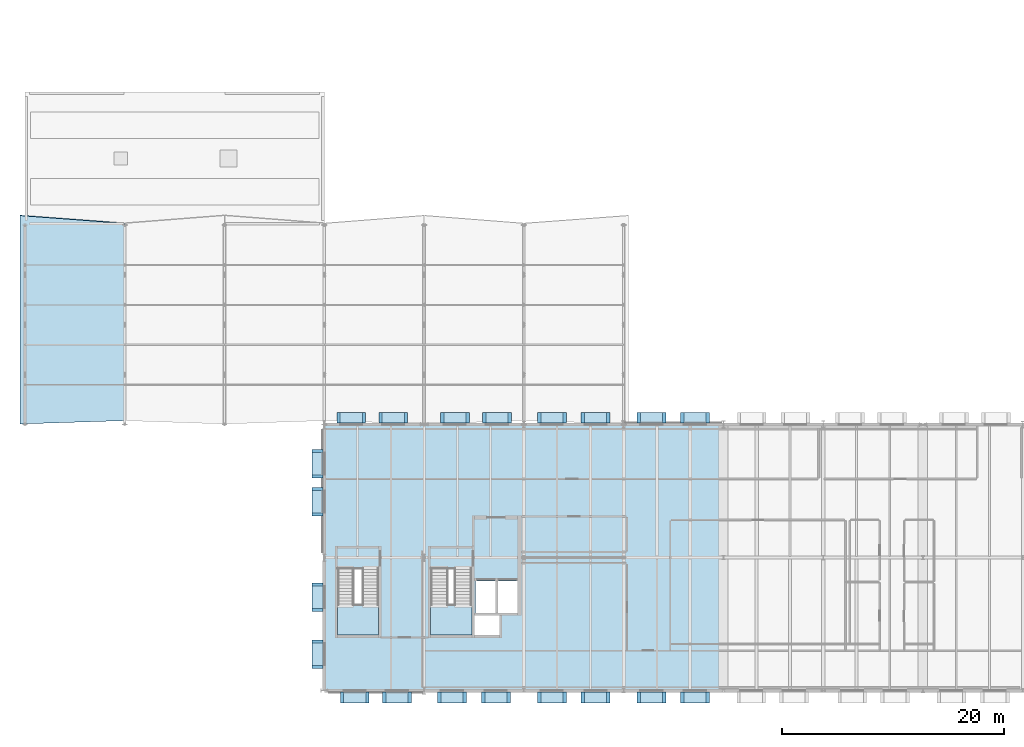
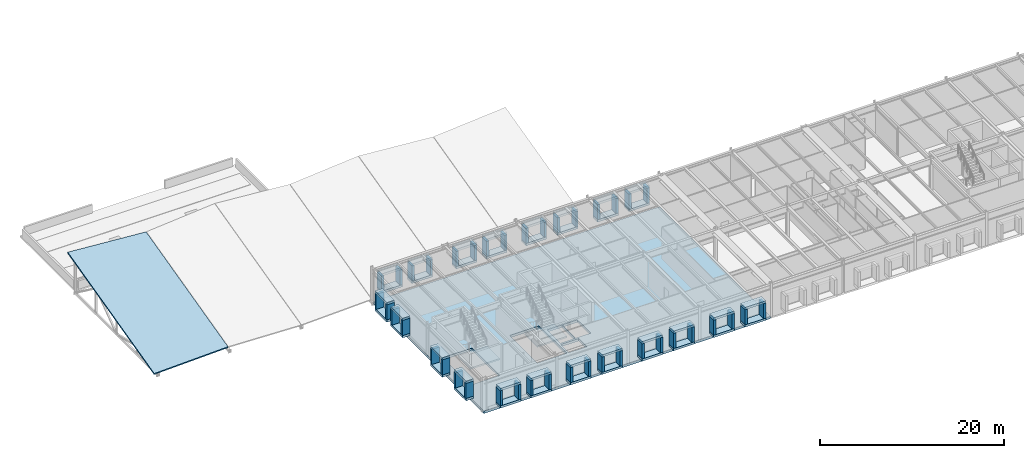
# One storey, part 41 of 67: 80 plates, 4 slabs, 3 elements without a shape of their own.
"""IFC4 building model written with IfcOpenShell, lengths in metres."""

from ifc_helpers import new_model, si_unit, direction, frame, origin, origin_2d, place, context, subcontext, project, spatial, polyline, rectangle, outline, extrude, material, layer, layer_set, type_object, element, aggregate, save


model = new_model("IFC4")

# Units and contexts
model_context = context("Model", 3, precision=1e-05, world=origin(), true_north=direction((0.0, 1.0)))
body_context = subcontext(model_context, "Body", "Model", "MODEL_VIEW")
ifc_project = project(units=[si_unit("LENGTHUNIT", "METRE"), si_unit("AREAUNIT", "SQUARE_METRE"), si_unit("VOLUMEUNIT", "CUBIC_METRE"), si_unit("PLANEANGLEUNIT", "RADIAN"), si_unit("MASSUNIT", "GRAM", prefix="KILO")], contexts=[model_context])

# Site, building, storey
site_placement = place(None, origin())
site = spatial("IfcSite", under=ifc_project, at=site_placement, CompositionType="ELEMENT")
building_placement = place(site_placement, origin())
building = spatial("IfcBuilding", under=site, at=building_placement, Name="Montelvaro Courts of Justice", CompositionType="ELEMENT")
storey_placement = place(building_placement, frame((0.0, 0.0, 18.89990234375)))
storey = spatial("IfcBuildingStorey", under=building, at=storey_placement, Name="L04", CompositionType="ELEMENT", Elevation=18.89990234375)

# Slab
ifc_material_1 = material(Name="Concrete C35/45", Category="concrete")
ifc_layer_1 = layer(ifc_material_1, 0.320068359375)
ifc_layer_set_1 = layer_set([ifc_layer_1], Name="Concrete C35/45")
slab_type_1 = type_object("IfcSlabType", Name="FloorSlab_V5_320", PredefinedType="FLOOR", material=ifc_layer_set_1)
slab_1_placement = place(storey_placement, frame((0.0, 0.0, -0.31982421875)))
element("IfcSlab", 1, at=slab_1_placement, inside=storey, type_object=slab_type_1, Name="Structural Slab SF-05 L04", PredefinedType="FLOOR", context=body_context, shape_type="SweptSolid", body=[
    extrude(outline(polyline([(45.0, 0.0), (80.949951171875, 0.0), (80.949951171875, 24.0), (45.0, 24.0), (45.0, 0.0)]), holes=[polyline([(54.60009765625, 5.0), (58.300048828125, 5.0), (58.300048828125, 11.0), (54.60009765625, 11.0), (54.60009765625, 5.0)]), polyline([(58.5400390625, 5.0), (60.800048828125, 5.0), (60.800048828125, 6.760009765625), (58.5400390625, 6.760009765625), (58.5400390625, 5.0)]), polyline([(58.64990234375, 7.0), (60.5, 7.0), (60.5, 9.89990234375), (58.64990234375, 9.89990234375), (58.64990234375, 7.0)]), polyline([(60.60009765625, 7.0), (62.449951171875, 7.0), (62.449951171875, 9.89990234375), (60.60009765625, 9.89990234375), (60.60009765625, 7.0)]), polyline([(46.199951171875, 5.0), (49.89990234375, 5.0), (49.89990234375, 11.0), (46.199951171875, 11.0), (46.199951171875, 5.0)])]), origin(), (0.0, 0.0, 1.0), 0.31982421875),
])

# Plates
ifc_material_2 = material(Name="White mineral precast concrete C45/55", Category="concrete")
ifc_layer_2 = layer(ifc_material_2, 0.300048828125)
ifc_layer_set_2 = layer_set([ifc_layer_2], Name="White mineral precast concrete C45/55")
plate_type = type_object("IfcPlateType", Name="PrecastSquareFrame_300x950", PredefinedType="SHEET", material=ifc_layer_set_2)
for number, where, z_axis, x_axis, name in (
    (2, (47.739990234375, -0.6201171875, 2.85009765625), (0.0, 0.0, 1.0), (1.0, 0.0, 0.0), "Graduated Square Window Frame PF-02 W-L04-189 TOP"),
    (3, (47.739990234375, -0.6201171875, 0.55029296875), (0.0, 0.0, 1.0), (1.0, 0.0, 0.0), "Graduated Square Window Frame PF-02 W-L04-189 BOT"),
):
    element("IfcPlate", number, at=place(storey_placement, frame(where, z_axis=z_axis, x_axis=x_axis)), inside=storey, type_object=plate_type, Name=name, PredefinedType="SHEET", context=body_context, shape_type="SweptSolid", body=[
        extrude(rectangle(XDim=2.60009765625, YDim=0.9599609375, at=origin_2d()), origin(), (0.0, 0.0, 1.0), 0.300048828125),
    ])
for number, where, z_axis, x_axis, name in (
    (4, (46.590087890625, -0.6201171875, 0.85009765625), (0.0, 0.0, 1.0), (1.0, 0.0, 0.0), "Graduated Square Window Frame PF-02 W-L04-189 L"),
    (5, (48.889892578125, -0.6201171875, 0.85009765625), (0.0, 0.0, 1.0), (1.0, 0.0, 0.0), "Graduated Square Window Frame PF-02 W-L04-189 R"),
):
    element("IfcPlate", number, at=place(storey_placement, frame(where, z_axis=z_axis, x_axis=x_axis)), inside=storey, type_object=plate_type, Name=name, PredefinedType="SHEET", context=body_context, shape_type="SweptSolid", body=[
        extrude(rectangle(XDim=0.300048828125, YDim=0.9599609375, at=origin_2d()), origin(), (0.0, 0.0, 1.0), 2.0),
    ])
for number, where, z_axis, x_axis, name in (
    (6, (51.56005859375, -0.6201171875, 2.85009765625), (0.0, 0.0, 1.0), (1.0, 0.0, 0.0), "Graduated Square Window Frame PF-02 W-L04-190 TOP"),
    (7, (51.56005859375, -0.6201171875, 0.55029296875), (0.0, 0.0, 1.0), (1.0, 0.0, 0.0), "Graduated Square Window Frame PF-02 W-L04-190 BOT"),
):
    element("IfcPlate", number, at=place(storey_placement, frame(where, z_axis=z_axis, x_axis=x_axis)), inside=storey, type_object=plate_type, Name=name, PredefinedType="SHEET", context=body_context, shape_type="SweptSolid", body=[
        extrude(rectangle(XDim=2.60009765625, YDim=0.9599609375, at=origin_2d()), origin(), (0.0, 0.0, 1.0), 0.300048828125),
    ])
for number, where, z_axis, x_axis, name in (
    (8, (50.409912109375, -0.6201171875, 0.85009765625), (0.0, 0.0, 1.0), (1.0, 0.0, 0.0), "Graduated Square Window Frame PF-02 W-L04-190 L"),
    (9, (52.7099609375, -0.6201171875, 0.85009765625), (0.0, 0.0, 1.0), (1.0, 0.0, 0.0), "Graduated Square Window Frame PF-02 W-L04-190 R"),
):
    element("IfcPlate", number, at=place(storey_placement, frame(where, z_axis=z_axis, x_axis=x_axis)), inside=storey, type_object=plate_type, Name=name, PredefinedType="SHEET", context=body_context, shape_type="SweptSolid", body=[
        extrude(rectangle(XDim=0.300048828125, YDim=0.9599609375, at=origin_2d()), origin(), (0.0, 0.0, 1.0), 2.0),
    ])
for number, where, z_axis, x_axis, name in (
    (10, (56.52392578125, -0.6201171875, 2.85009765625), (0.0, 0.0, 1.0), (1.0, 0.0, 0.0), "Graduated Square Window Frame PF-02 W-L04-191 TOP"),
    (11, (56.52392578125, -0.6201171875, 0.55029296875), (0.0, 0.0, 1.0), (1.0, 0.0, 0.0), "Graduated Square Window Frame PF-02 W-L04-191 BOT"),
):
    element("IfcPlate", number, at=place(storey_placement, frame(where, z_axis=z_axis, x_axis=x_axis)), inside=storey, type_object=plate_type, Name=name, PredefinedType="SHEET", context=body_context, shape_type="SweptSolid", body=[
        extrude(rectangle(XDim=2.60009765625, YDim=0.9599609375, at=origin_2d()), origin(), (0.0, 0.0, 1.0), 0.300048828125),
    ])
for number, where, z_axis, x_axis, name in (
    (12, (55.3740234375, -0.6201171875, 0.85009765625), (0.0, 0.0, 1.0), (1.0, 0.0, 0.0), "Graduated Square Window Frame PF-02 W-L04-191 L"),
    (13, (57.674072265625, -0.6201171875, 0.85009765625), (0.0, 0.0, 1.0), (1.0, 0.0, 0.0), "Graduated Square Window Frame PF-02 W-L04-191 R"),
):
    element("IfcPlate", number, at=place(storey_placement, frame(where, z_axis=z_axis, x_axis=x_axis)), inside=storey, type_object=plate_type, Name=name, PredefinedType="SHEET", context=body_context, shape_type="SweptSolid", body=[
        extrude(rectangle(XDim=0.300048828125, YDim=0.9599609375, at=origin_2d()), origin(), (0.0, 0.0, 1.0), 2.0),
    ])
for number, where, z_axis, x_axis, name in (
    (14, (60.47607421875, -0.6201171875, 2.85009765625), (0.0, 0.0, 1.0), (1.0, 0.0, 0.0), "Graduated Square Window Frame PF-02 W-L04-192 TOP"),
    (15, (60.47607421875, -0.6201171875, 0.55029296875), (0.0, 0.0, 1.0), (1.0, 0.0, 0.0), "Graduated Square Window Frame PF-02 W-L04-192 BOT"),
):
    element("IfcPlate", number, at=place(storey_placement, frame(where, z_axis=z_axis, x_axis=x_axis)), inside=storey, type_object=plate_type, Name=name, PredefinedType="SHEET", context=body_context, shape_type="SweptSolid", body=[
        extrude(rectangle(XDim=2.60009765625, YDim=0.9599609375, at=origin_2d()), origin(), (0.0, 0.0, 1.0), 0.300048828125),
    ])
for number, where, z_axis, x_axis, name in (
    (16, (59.325927734375, -0.6201171875, 0.85009765625), (0.0, 0.0, 1.0), (1.0, 0.0, 0.0), "Graduated Square Window Frame PF-02 W-L04-192 L"),
    (17, (61.6259765625, -0.6201171875, 0.85009765625), (0.0, 0.0, 1.0), (1.0, 0.0, 0.0), "Graduated Square Window Frame PF-02 W-L04-192 R"),
):
    element("IfcPlate", number, at=place(storey_placement, frame(where, z_axis=z_axis, x_axis=x_axis)), inside=storey, type_object=plate_type, Name=name, PredefinedType="SHEET", context=body_context, shape_type="SweptSolid", body=[
        extrude(rectangle(XDim=0.300048828125, YDim=0.9599609375, at=origin_2d()), origin(), (0.0, 0.0, 1.0), 2.0),
    ])
for number, where, z_axis, x_axis, name in (
    (18, (65.52392578125, -0.6201171875, 2.85009765625), (0.0, 0.0, 1.0), (1.0, 0.0, 0.0), "Graduated Square Window Frame PF-02 W-L04-193 TOP"),
    (19, (65.52392578125, -0.6201171875, 0.55029296875), (0.0, 0.0, 1.0), (1.0, 0.0, 0.0), "Graduated Square Window Frame PF-02 W-L04-193 BOT"),
):
    element("IfcPlate", number, at=place(storey_placement, frame(where, z_axis=z_axis, x_axis=x_axis)), inside=storey, type_object=plate_type, Name=name, PredefinedType="SHEET", context=body_context, shape_type="SweptSolid", body=[
        extrude(rectangle(XDim=2.60009765625, YDim=0.9599609375, at=origin_2d()), origin(), (0.0, 0.0, 1.0), 0.300048828125),
    ])
for number, where, z_axis, x_axis, name in (
    (20, (64.3740234375, -0.6201171875, 0.85009765625), (0.0, 0.0, 1.0), (1.0, 0.0, 0.0), "Graduated Square Window Frame PF-02 W-L04-193 L"),
    (21, (66.674072265625, -0.6201171875, 0.85009765625), (0.0, 0.0, 1.0), (1.0, 0.0, 0.0), "Graduated Square Window Frame PF-02 W-L04-193 R"),
):
    element("IfcPlate", number, at=place(storey_placement, frame(where, z_axis=z_axis, x_axis=x_axis)), inside=storey, type_object=plate_type, Name=name, PredefinedType="SHEET", context=body_context, shape_type="SweptSolid", body=[
        extrude(rectangle(XDim=0.300048828125, YDim=0.9599609375, at=origin_2d()), origin(), (0.0, 0.0, 1.0), 2.0),
    ])
for number, where, z_axis, x_axis, name in (
    (22, (69.47607421875, -0.6201171875, 2.85009765625), (0.0, 0.0, 1.0), (1.0, 0.0, 0.0), "Graduated Square Window Frame PF-02 W-L04-194 TOP"),
    (23, (69.47607421875, -0.6201171875, 0.55029296875), (0.0, 0.0, 1.0), (1.0, 0.0, 0.0), "Graduated Square Window Frame PF-02 W-L04-194 BOT"),
):
    element("IfcPlate", number, at=place(storey_placement, frame(where, z_axis=z_axis, x_axis=x_axis)), inside=storey, type_object=plate_type, Name=name, PredefinedType="SHEET", context=body_context, shape_type="SweptSolid", body=[
        extrude(rectangle(XDim=2.60009765625, YDim=0.9599609375, at=origin_2d()), origin(), (0.0, 0.0, 1.0), 0.300048828125),
    ])
for number, where, z_axis, x_axis, name in (
    (24, (68.325927734375, -0.6201171875, 0.85009765625), (0.0, 0.0, 1.0), (1.0, 0.0, 0.0), "Graduated Square Window Frame PF-02 W-L04-194 L"),
    (25, (70.6259765625, -0.6201171875, 0.85009765625), (0.0, 0.0, 1.0), (1.0, 0.0, 0.0), "Graduated Square Window Frame PF-02 W-L04-194 R"),
):
    element("IfcPlate", number, at=place(storey_placement, frame(where, z_axis=z_axis, x_axis=x_axis)), inside=storey, type_object=plate_type, Name=name, PredefinedType="SHEET", context=body_context, shape_type="SweptSolid", body=[
        extrude(rectangle(XDim=0.300048828125, YDim=0.9599609375, at=origin_2d()), origin(), (0.0, 0.0, 1.0), 2.0),
    ])
for number, where, z_axis, x_axis, name in (
    (26, (74.510009765625, -0.6201171875, 2.85009765625), (0.0, 0.0, 1.0), (1.0, 0.0, 0.0), "Graduated Square Window Frame PF-02 W-L04-195 TOP"),
    (27, (74.510009765625, -0.6201171875, 0.55029296875), (0.0, 0.0, 1.0), (1.0, 0.0, 0.0), "Graduated Square Window Frame PF-02 W-L04-195 BOT"),
):
    element("IfcPlate", number, at=place(storey_placement, frame(where, z_axis=z_axis, x_axis=x_axis)), inside=storey, type_object=plate_type, Name=name, PredefinedType="SHEET", context=body_context, shape_type="SweptSolid", body=[
        extrude(rectangle(XDim=2.60009765625, YDim=0.9599609375, at=origin_2d()), origin(), (0.0, 0.0, 1.0), 0.300048828125),
    ])
for number, where, z_axis, x_axis, name in (
    (28, (73.360107421875, -0.6201171875, 0.85009765625), (0.0, 0.0, 1.0), (1.0, 0.0, 0.0), "Graduated Square Window Frame PF-02 W-L04-195 L"),
    (29, (75.659912109375, -0.6201171875, 0.85009765625), (0.0, 0.0, 1.0), (1.0, 0.0, 0.0), "Graduated Square Window Frame PF-02 W-L04-195 R"),
):
    element("IfcPlate", number, at=place(storey_placement, frame(where, z_axis=z_axis, x_axis=x_axis)), inside=storey, type_object=plate_type, Name=name, PredefinedType="SHEET", context=body_context, shape_type="SweptSolid", body=[
        extrude(rectangle(XDim=0.300048828125, YDim=0.9599609375, at=origin_2d()), origin(), (0.0, 0.0, 1.0), 2.0),
    ])
for number, where, z_axis, x_axis, name in (
    (30, (78.43994140625, -0.6201171875, 2.85009765625), (0.0, 0.0, 1.0), (1.0, 0.0, 0.0), "Graduated Square Window Frame PF-02 W-L04-196 TOP"),
    (31, (78.43994140625, -0.6201171875, 0.55029296875), (0.0, 0.0, 1.0), (1.0, 0.0, 0.0), "Graduated Square Window Frame PF-02 W-L04-196 BOT"),
):
    element("IfcPlate", number, at=place(storey_placement, frame(where, z_axis=z_axis, x_axis=x_axis)), inside=storey, type_object=plate_type, Name=name, PredefinedType="SHEET", context=body_context, shape_type="SweptSolid", body=[
        extrude(rectangle(XDim=2.60009765625, YDim=0.9599609375, at=origin_2d()), origin(), (0.0, 0.0, 1.0), 0.300048828125),
    ])
for number, where, z_axis, x_axis, name in (
    (32, (77.2900390625, -0.6201171875, 0.85009765625), (0.0, 0.0, 1.0), (1.0, 0.0, 0.0), "Graduated Square Window Frame PF-02 W-L04-196 L"),
    (33, (79.590087890625, -0.6201171875, 0.85009765625), (0.0, 0.0, 1.0), (1.0, 0.0, 0.0), "Graduated Square Window Frame PF-02 W-L04-196 R"),
):
    element("IfcPlate", number, at=place(storey_placement, frame(where, z_axis=z_axis, x_axis=x_axis)), inside=storey, type_object=plate_type, Name=name, PredefinedType="SHEET", context=body_context, shape_type="SweptSolid", body=[
        extrude(rectangle(XDim=0.300048828125, YDim=0.9599609375, at=origin_2d()), origin(), (0.0, 0.0, 1.0), 2.0),
    ])
for number, where, z_axis, x_axis, name in (
    (34, (78.43994140625, 24.6201171875, 2.85009765625), (0.0, 0.0, 1.0), (-1.0, 0.0, 0.0), "Graduated Square Window Frame PF-02 W-L04-197 TOP"),
    (35, (78.43994140625, 24.6201171875, 0.55029296875), (0.0, 0.0, 1.0), (-1.0, 0.0, 0.0), "Graduated Square Window Frame PF-02 W-L04-197 BOT"),
):
    element("IfcPlate", number, at=place(storey_placement, frame(where, z_axis=z_axis, x_axis=x_axis)), inside=storey, type_object=plate_type, Name=name, PredefinedType="SHEET", context=body_context, shape_type="SweptSolid", body=[
        extrude(rectangle(XDim=2.60009765625, YDim=0.9599609375, at=origin_2d()), origin(), (0.0, 0.0, 1.0), 0.300048828125),
    ])
for number, where, z_axis, x_axis, name in (
    (36, (79.590087890625, 24.6201171875, 0.85009765625), (0.0, 0.0, 1.0), (-1.0, 0.0, 0.0), "Graduated Square Window Frame PF-02 W-L04-197 L"),
    (37, (77.2900390625, 24.6201171875, 0.85009765625), (0.0, 0.0, 1.0), (-1.0, 0.0, 0.0), "Graduated Square Window Frame PF-02 W-L04-197 R"),
):
    element("IfcPlate", number, at=place(storey_placement, frame(where, z_axis=z_axis, x_axis=x_axis)), inside=storey, type_object=plate_type, Name=name, PredefinedType="SHEET", context=body_context, shape_type="SweptSolid", body=[
        extrude(rectangle(XDim=0.300048828125, YDim=0.9599609375, at=origin_2d()), origin(), (0.0, 0.0, 1.0), 2.0),
    ])
for number, where, z_axis, x_axis, name in (
    (38, (74.510009765625, 24.6201171875, 2.85009765625), (0.0, 0.0, 1.0), (-1.0, 0.0, 0.0), "Graduated Square Window Frame PF-02 W-L04-198 TOP"),
    (39, (74.510009765625, 24.6201171875, 0.55029296875), (0.0, 0.0, 1.0), (-1.0, 0.0, 0.0), "Graduated Square Window Frame PF-02 W-L04-198 BOT"),
):
    element("IfcPlate", number, at=place(storey_placement, frame(where, z_axis=z_axis, x_axis=x_axis)), inside=storey, type_object=plate_type, Name=name, PredefinedType="SHEET", context=body_context, shape_type="SweptSolid", body=[
        extrude(rectangle(XDim=2.60009765625, YDim=0.9599609375, at=origin_2d()), origin(), (0.0, 0.0, 1.0), 0.300048828125),
    ])
for number, where, z_axis, x_axis, name in (
    (40, (75.659912109375, 24.6201171875, 0.85009765625), (0.0, 0.0, 1.0), (-1.0, 0.0, 0.0), "Graduated Square Window Frame PF-02 W-L04-198 L"),
    (41, (73.360107421875, 24.6201171875, 0.85009765625), (0.0, 0.0, 1.0), (-1.0, 0.0, 0.0), "Graduated Square Window Frame PF-02 W-L04-198 R"),
):
    element("IfcPlate", number, at=place(storey_placement, frame(where, z_axis=z_axis, x_axis=x_axis)), inside=storey, type_object=plate_type, Name=name, PredefinedType="SHEET", context=body_context, shape_type="SweptSolid", body=[
        extrude(rectangle(XDim=0.300048828125, YDim=0.9599609375, at=origin_2d()), origin(), (0.0, 0.0, 1.0), 2.0),
    ])
for number, where, z_axis, x_axis, name in (
    (42, (69.47607421875, 24.6201171875, 2.85009765625), (0.0, 0.0, 1.0), (-1.0, 0.0, 0.0), "Graduated Square Window Frame PF-02 W-L04-199 TOP"),
    (43, (69.47607421875, 24.6201171875, 0.55029296875), (0.0, 0.0, 1.0), (-1.0, 0.0, 0.0), "Graduated Square Window Frame PF-02 W-L04-199 BOT"),
):
    element("IfcPlate", number, at=place(storey_placement, frame(where, z_axis=z_axis, x_axis=x_axis)), inside=storey, type_object=plate_type, Name=name, PredefinedType="SHEET", context=body_context, shape_type="SweptSolid", body=[
        extrude(rectangle(XDim=2.60009765625, YDim=0.9599609375, at=origin_2d()), origin(), (0.0, 0.0, 1.0), 0.300048828125),
    ])
for number, where, z_axis, x_axis, name in (
    (44, (70.6259765625, 24.6201171875, 0.85009765625), (0.0, 0.0, 1.0), (-1.0, 0.0, 0.0), "Graduated Square Window Frame PF-02 W-L04-199 L"),
    (45, (68.325927734375, 24.6201171875, 0.85009765625), (0.0, 0.0, 1.0), (-1.0, 0.0, 0.0), "Graduated Square Window Frame PF-02 W-L04-199 R"),
):
    element("IfcPlate", number, at=place(storey_placement, frame(where, z_axis=z_axis, x_axis=x_axis)), inside=storey, type_object=plate_type, Name=name, PredefinedType="SHEET", context=body_context, shape_type="SweptSolid", body=[
        extrude(rectangle(XDim=0.300048828125, YDim=0.9599609375, at=origin_2d()), origin(), (0.0, 0.0, 1.0), 2.0),
    ])
for number, where, z_axis, x_axis, name in (
    (46, (65.52392578125, 24.6201171875, 2.85009765625), (0.0, 0.0, 1.0), (-1.0, 0.0, 0.0), "Graduated Square Window Frame PF-02 W-L04-200 TOP"),
    (47, (65.52392578125, 24.6201171875, 0.55029296875), (0.0, 0.0, 1.0), (-1.0, 0.0, 0.0), "Graduated Square Window Frame PF-02 W-L04-200 BOT"),
):
    element("IfcPlate", number, at=place(storey_placement, frame(where, z_axis=z_axis, x_axis=x_axis)), inside=storey, type_object=plate_type, Name=name, PredefinedType="SHEET", context=body_context, shape_type="SweptSolid", body=[
        extrude(rectangle(XDim=2.60009765625, YDim=0.9599609375, at=origin_2d()), origin(), (0.0, 0.0, 1.0), 0.300048828125),
    ])
for number, where, z_axis, x_axis, name in (
    (48, (66.674072265625, 24.6201171875, 0.85009765625), (0.0, 0.0, 1.0), (-1.0, 0.0, 0.0), "Graduated Square Window Frame PF-02 W-L04-200 L"),
    (49, (64.3740234375, 24.6201171875, 0.85009765625), (0.0, 0.0, 1.0), (-1.0, 0.0, 0.0), "Graduated Square Window Frame PF-02 W-L04-200 R"),
):
    element("IfcPlate", number, at=place(storey_placement, frame(where, z_axis=z_axis, x_axis=x_axis)), inside=storey, type_object=plate_type, Name=name, PredefinedType="SHEET", context=body_context, shape_type="SweptSolid", body=[
        extrude(rectangle(XDim=0.300048828125, YDim=0.9599609375, at=origin_2d()), origin(), (0.0, 0.0, 1.0), 2.0),
    ])
for number, where, z_axis, x_axis, name in (
    (50, (60.573974609375, 24.6201171875, 2.85009765625), (0.0, 0.0, 1.0), (-1.0, 0.0, 0.0), "Graduated Square Window Frame PF-02 W-L04-201 TOP"),
    (51, (60.573974609375, 24.6201171875, 0.55029296875), (0.0, 0.0, 1.0), (-1.0, 0.0, 0.0), "Graduated Square Window Frame PF-02 W-L04-201 BOT"),
):
    element("IfcPlate", number, at=place(storey_placement, frame(where, z_axis=z_axis, x_axis=x_axis)), inside=storey, type_object=plate_type, Name=name, PredefinedType="SHEET", context=body_context, shape_type="SweptSolid", body=[
        extrude(rectangle(XDim=2.60009765625, YDim=0.9599609375, at=origin_2d()), origin(), (0.0, 0.0, 1.0), 0.300048828125),
    ])
for number, where, z_axis, x_axis, name in (
    (52, (61.72412109375, 24.6201171875, 0.85009765625), (0.0, 0.0, 1.0), (-1.0, 0.0, 0.0), "Graduated Square Window Frame PF-02 W-L04-201 L"),
    (53, (59.424072265625, 24.6201171875, 0.85009765625), (0.0, 0.0, 1.0), (-1.0, 0.0, 0.0), "Graduated Square Window Frame PF-02 W-L04-201 R"),
):
    element("IfcPlate", number, at=place(storey_placement, frame(where, z_axis=z_axis, x_axis=x_axis)), inside=storey, type_object=plate_type, Name=name, PredefinedType="SHEET", context=body_context, shape_type="SweptSolid", body=[
        extrude(rectangle(XDim=0.300048828125, YDim=0.9599609375, at=origin_2d()), origin(), (0.0, 0.0, 1.0), 2.0),
    ])
for number, where, z_axis, x_axis, name in (
    (54, (56.77392578125, 24.6201171875, 2.85009765625), (0.0, 0.0, 1.0), (-1.0, 0.0, 0.0), "Graduated Square Window Frame PF-02 W-L04-202 TOP"),
    (55, (56.77392578125, 24.6201171875, 0.55029296875), (0.0, 0.0, 1.0), (-1.0, 0.0, 0.0), "Graduated Square Window Frame PF-02 W-L04-202 BOT"),
):
    element("IfcPlate", number, at=place(storey_placement, frame(where, z_axis=z_axis, x_axis=x_axis)), inside=storey, type_object=plate_type, Name=name, PredefinedType="SHEET", context=body_context, shape_type="SweptSolid", body=[
        extrude(rectangle(XDim=2.60009765625, YDim=0.9599609375, at=origin_2d()), origin(), (0.0, 0.0, 1.0), 0.300048828125),
    ])
for number, where, z_axis, x_axis, name in (
    (56, (57.924072265625, 24.6201171875, 0.85009765625), (0.0, 0.0, 1.0), (-1.0, 0.0, 0.0), "Graduated Square Window Frame PF-02 W-L04-202 L"),
    (57, (55.6240234375, 24.6201171875, 0.85009765625), (0.0, 0.0, 1.0), (-1.0, 0.0, 0.0), "Graduated Square Window Frame PF-02 W-L04-202 R"),
):
    element("IfcPlate", number, at=place(storey_placement, frame(where, z_axis=z_axis, x_axis=x_axis)), inside=storey, type_object=plate_type, Name=name, PredefinedType="SHEET", context=body_context, shape_type="SweptSolid", body=[
        extrude(rectangle(XDim=0.300048828125, YDim=0.9599609375, at=origin_2d()), origin(), (0.0, 0.0, 1.0), 2.0),
    ])
for number, where, z_axis, x_axis, name in (
    (58, (51.22607421875, 24.6201171875, 2.85009765625), (0.0, 0.0, 1.0), (-1.0, 0.0, 0.0), "Graduated Square Window Frame PF-02 W-L04-203 TOP"),
    (59, (51.22607421875, 24.6201171875, 0.55029296875), (0.0, 0.0, 1.0), (-1.0, 0.0, 0.0), "Graduated Square Window Frame PF-02 W-L04-203 BOT"),
):
    element("IfcPlate", number, at=place(storey_placement, frame(where, z_axis=z_axis, x_axis=x_axis)), inside=storey, type_object=plate_type, Name=name, PredefinedType="SHEET", context=body_context, shape_type="SweptSolid", body=[
        extrude(rectangle(XDim=2.60009765625, YDim=0.9599609375, at=origin_2d()), origin(), (0.0, 0.0, 1.0), 0.300048828125),
    ])
for number, where, z_axis, x_axis, name in (
    (60, (52.3759765625, 24.6201171875, 0.85009765625), (0.0, 0.0, 1.0), (-1.0, 0.0, 0.0), "Graduated Square Window Frame PF-02 W-L04-203 L"),
    (61, (50.075927734375, 24.6201171875, 0.85009765625), (0.0, 0.0, 1.0), (-1.0, 0.0, 0.0), "Graduated Square Window Frame PF-02 W-L04-203 R"),
):
    element("IfcPlate", number, at=place(storey_placement, frame(where, z_axis=z_axis, x_axis=x_axis)), inside=storey, type_object=plate_type, Name=name, PredefinedType="SHEET", context=body_context, shape_type="SweptSolid", body=[
        extrude(rectangle(XDim=0.300048828125, YDim=0.9599609375, at=origin_2d()), origin(), (0.0, 0.0, 1.0), 2.0),
    ])
for number, where, z_axis, x_axis, name in (
    (62, (47.426025390625, 24.6201171875, 2.85009765625), (0.0, 0.0, 1.0), (-1.0, 0.0, 0.0), "Graduated Square Window Frame PF-02 W-L04-204 TOP"),
    (63, (47.426025390625, 24.6201171875, 0.55029296875), (0.0, 0.0, 1.0), (-1.0, 0.0, 0.0), "Graduated Square Window Frame PF-02 W-L04-204 BOT"),
):
    element("IfcPlate", number, at=place(storey_placement, frame(where, z_axis=z_axis, x_axis=x_axis)), inside=storey, type_object=plate_type, Name=name, PredefinedType="SHEET", context=body_context, shape_type="SweptSolid", body=[
        extrude(rectangle(XDim=2.60009765625, YDim=0.9599609375, at=origin_2d()), origin(), (0.0, 0.0, 1.0), 0.300048828125),
    ])
for number, where, z_axis, x_axis, name in (
    (64, (48.575927734375, 24.6201171875, 0.85009765625), (0.0, 0.0, 1.0), (-1.0, 0.0, 0.0), "Graduated Square Window Frame PF-02 W-L04-204 L"),
    (65, (46.27587890625, 24.6201171875, 0.85009765625), (0.0, 0.0, 1.0), (-1.0, 0.0, 0.0), "Graduated Square Window Frame PF-02 W-L04-204 R"),
):
    element("IfcPlate", number, at=place(storey_placement, frame(where, z_axis=z_axis, x_axis=x_axis)), inside=storey, type_object=plate_type, Name=name, PredefinedType="SHEET", context=body_context, shape_type="SweptSolid", body=[
        extrude(rectangle(XDim=0.300048828125, YDim=0.9599609375, at=origin_2d()), origin(), (0.0, 0.0, 1.0), 2.0),
    ])
for number, where, z_axis, x_axis, name in (
    (66, (44.3798828125, 20.469970703125, 2.85009765625), (0.0, 0.0, 1.0), (0.0, -1.0, 0.0), "Graduated Square Window Frame PF-02 W-L04-205 TOP"),
    (67, (44.3798828125, 20.469970703125, 0.55029296875), (0.0, 0.0, 1.0), (0.0, -1.0, 0.0), "Graduated Square Window Frame PF-02 W-L04-205 BOT"),
):
    element("IfcPlate", number, at=place(storey_placement, frame(where, z_axis=z_axis, x_axis=x_axis)), inside=storey, type_object=plate_type, Name=name, PredefinedType="SHEET", context=body_context, shape_type="SweptSolid", body=[
        extrude(rectangle(XDim=2.60009765625, YDim=0.9599609375, at=origin_2d()), origin(), (0.0, 0.0, 1.0), 0.300048828125),
    ])
for number, where, z_axis, x_axis, name in (
    (68, (44.3798828125, 21.6201171875, 0.85009765625), (0.0, 0.0, 1.0), (0.0, -1.0, 0.0), "Graduated Square Window Frame PF-02 W-L04-205 L"),
    (69, (44.3798828125, 19.320068359375, 0.85009765625), (0.0, 0.0, 1.0), (0.0, -1.0, 0.0), "Graduated Square Window Frame PF-02 W-L04-205 R"),
):
    element("IfcPlate", number, at=place(storey_placement, frame(where, z_axis=z_axis, x_axis=x_axis)), inside=storey, type_object=plate_type, Name=name, PredefinedType="SHEET", context=body_context, shape_type="SweptSolid", body=[
        extrude(rectangle(XDim=0.300048828125, YDim=0.9599609375, at=origin_2d()), origin(), (0.0, 0.0, 1.0), 2.0),
    ])
for number, where, z_axis, x_axis, name in (
    (70, (44.3798828125, 17.0400390625, 2.85009765625), (0.0, 0.0, 1.0), (0.0, -1.0, 0.0), "Graduated Square Window Frame PF-02 W-L04-206 TOP"),
    (71, (44.3798828125, 17.0400390625, 0.55029296875), (0.0, 0.0, 1.0), (0.0, -1.0, 0.0), "Graduated Square Window Frame PF-02 W-L04-206 BOT"),
):
    element("IfcPlate", number, at=place(storey_placement, frame(where, z_axis=z_axis, x_axis=x_axis)), inside=storey, type_object=plate_type, Name=name, PredefinedType="SHEET", context=body_context, shape_type="SweptSolid", body=[
        extrude(rectangle(XDim=2.60009765625, YDim=0.9599609375, at=origin_2d()), origin(), (0.0, 0.0, 1.0), 0.300048828125),
    ])
for number, where, z_axis, x_axis, name in (
    (72, (44.3798828125, 18.18994140625, 0.85009765625), (0.0, 0.0, 1.0), (0.0, -1.0, 0.0), "Graduated Square Window Frame PF-02 W-L04-206 L"),
    (73, (44.3798828125, 15.889892578125, 0.85009765625), (0.0, 0.0, 1.0), (0.0, -1.0, 0.0), "Graduated Square Window Frame PF-02 W-L04-206 R"),
):
    element("IfcPlate", number, at=place(storey_placement, frame(where, z_axis=z_axis, x_axis=x_axis)), inside=storey, type_object=plate_type, Name=name, PredefinedType="SHEET", context=body_context, shape_type="SweptSolid", body=[
        extrude(rectangle(XDim=0.300048828125, YDim=0.9599609375, at=origin_2d()), origin(), (0.0, 0.0, 1.0), 2.0),
    ])
for number, where, z_axis, x_axis, name in (
    (74, (44.3798828125, 8.419921875, 2.85009765625), (0.0, 0.0, 1.0), (0.0, -1.0, 0.0), "Graduated Square Window Frame PF-02 W-L04-207 TOP"),
    (75, (44.3798828125, 8.419921875, 0.55029296875), (0.0, 0.0, 1.0), (0.0, -1.0, 0.0), "Graduated Square Window Frame PF-02 W-L04-207 BOT"),
):
    element("IfcPlate", number, at=place(storey_placement, frame(where, z_axis=z_axis, x_axis=x_axis)), inside=storey, type_object=plate_type, Name=name, PredefinedType="SHEET", context=body_context, shape_type="SweptSolid", body=[
        extrude(rectangle(XDim=2.60009765625, YDim=0.9599609375, at=origin_2d()), origin(), (0.0, 0.0, 1.0), 0.300048828125),
    ])
for number, where, z_axis, x_axis, name in (
    (76, (44.3798828125, 9.570068359375, 0.85009765625), (0.0, 0.0, 1.0), (0.0, -1.0, 0.0), "Graduated Square Window Frame PF-02 W-L04-207 L"),
    (77, (44.3798828125, 7.27001953125, 0.85009765625), (0.0, 0.0, 1.0), (0.0, -1.0, 0.0), "Graduated Square Window Frame PF-02 W-L04-207 R"),
):
    element("IfcPlate", number, at=place(storey_placement, frame(where, z_axis=z_axis, x_axis=x_axis)), inside=storey, type_object=plate_type, Name=name, PredefinedType="SHEET", context=body_context, shape_type="SweptSolid", body=[
        extrude(rectangle(XDim=0.300048828125, YDim=0.9599609375, at=origin_2d()), origin(), (0.0, 0.0, 1.0), 2.0),
    ])
for number, where, z_axis, x_axis, name in (
    (78, (44.3798828125, 3.280029296875, 2.85009765625), (0.0, 0.0, 1.0), (0.0, -1.0, 0.0), "Graduated Square Window Frame PF-02 W-L04-208 TOP"),
    (79, (44.3798828125, 3.280029296875, 0.55029296875), (0.0, 0.0, 1.0), (0.0, -1.0, 0.0), "Graduated Square Window Frame PF-02 W-L04-208 BOT"),
):
    element("IfcPlate", number, at=place(storey_placement, frame(where, z_axis=z_axis, x_axis=x_axis)), inside=storey, type_object=plate_type, Name=name, PredefinedType="SHEET", context=body_context, shape_type="SweptSolid", body=[
        extrude(rectangle(XDim=2.60009765625, YDim=0.9599609375, at=origin_2d()), origin(), (0.0, 0.0, 1.0), 0.300048828125),
    ])
for number, where, z_axis, x_axis, name in (
    (80, (44.3798828125, 4.429931640625, 0.85009765625), (0.0, 0.0, 1.0), (0.0, -1.0, 0.0), "Graduated Square Window Frame PF-02 W-L04-208 L"),
    (81, (44.3798828125, 2.1298828125, 0.85009765625), (0.0, 0.0, 1.0), (0.0, -1.0, 0.0), "Graduated Square Window Frame PF-02 W-L04-208 R"),
):
    element("IfcPlate", number, at=place(storey_placement, frame(where, z_axis=z_axis, x_axis=x_axis)), inside=storey, type_object=plate_type, Name=name, PredefinedType="SHEET", context=body_context, shape_type="SweptSolid", body=[
        extrude(rectangle(XDim=0.300048828125, YDim=0.9599609375, at=origin_2d()), origin(), (0.0, 0.0, 1.0), 2.0),
    ])

# Roof, slab
ifc_material_3 = material(Name="Precast concrete C45/55", Category="concrete")
ifc_layer_3 = layer(ifc_material_3, 0.199951171875)
ifc_layer_set_3 = layer_set([ifc_layer_3], Name="Precast concrete C45/55")
roof_type = type_object("IfcRoofType", Name="GableNorthLightRoof", PredefinedType="GABLE_ROOF", material=ifc_layer_set_3)
roof_placement = place(storey_placement, origin())
roof = element("IfcRoof", 82, at=roof_placement, inside=storey, type_object=roof_type, Name="Law Library Raked North-Light Reading Roof V3", PredefinedType="GABLE_ROOF")
ifc_layer_4 = layer(ifc_material_3, 0.179931640625)
ifc_layer_set_4 = layer_set([ifc_layer_4], Name="Precast concrete C45/55")
slab_type_2 = type_object("IfcSlabType", Name="RoofSlab_V3_180", PredefinedType="ROOF", material=ifc_layer_set_4)
slab_2_placement = place(storey_placement, frame((17.550048828125, 24.050048828125, 0.0126953125), z_axis=(3.173946e-06, -0.242534102359, 0.970142880808), x_axis=(0.999462629305, 0.031800931495, 0.007946909972)))
slab_2 = element("IfcSlab", 83, at=slab_2_placement, type_object=slab_type_2, Name="V3 Raked Clerestory Roof Slab 1", PredefinedType="ROOF", context=body_context, shape_type="SweptSolid", body=[
    extrude(outline(polyline([(0.0, 0.0), (9.435001734152243, -5.204170427930421e-17), (10.036415464978225, 18.337759237942986), (0.6352091537128071, 19.36821845932412), (0.0, 0.0)])), origin(), (0.0, 0.0, -1.0), 0.179931640625),
])
aggregate(roof, [slab_2])

# Stair, slab
stair_type_1 = type_object("IfcStairType", Name="ProtectedStair_155", PredefinedType="HALF_TURN_STAIR", material=ifc_material_1)
stair_1_placement = place(storey_placement, origin())
stair_1 = element("IfcStair", 84, at=stair_1_placement, inside=storey, type_object=stair_type_1, Name="Protected Stair ST-K1-L04", PredefinedType="HALF_TURN_STAIR")
ifc_layer_5 = layer(ifc_material_1, 0.199951171875)
ifc_layer_set_5 = layer_set([ifc_layer_5], Name="Concrete C35/45")
slab_type_3 = type_object("IfcSlabType", Name="StairLanding_200", PredefinedType="LANDING", material=ifc_layer_set_5)
slab_3_placement = place(storey_placement, frame((0.0, 0.0, 2.050048828125)))
slab_3 = element("IfcSlab", 85, at=slab_3_placement, type_object=slab_type_3, Name="ST-K1-L04 landing 1", PredefinedType="LANDING", context=body_context, shape_type="SweptSolid", body=[
    extrude(outline(polyline([(54.60009765625, 5.0), (58.300048828125, 5.0), (58.300048828125, 7.735107421875), (54.60009765625, 7.735107421875), (54.60009765625, 5.0)])), origin(), (0.0, 0.0, 1.0), 0.199951171875),
])
aggregate(stair_1, [slab_3])

stair_type_2 = type_object("IfcStairType", Name="ProtectedStair_145", PredefinedType="HALF_TURN_STAIR", material=ifc_material_1)
stair_2_placement = place(storey_placement, origin())
stair_2 = element("IfcStair", 86, at=stair_2_placement, inside=storey, type_object=stair_type_2, Name="Protected Stair ST-E1-L04", PredefinedType="HALF_TURN_STAIR")
slab_4_placement = place(storey_placement, frame((0.0, 0.0, 2.050048828125)))
slab_4 = element("IfcSlab", 87, at=slab_4_placement, type_object=slab_type_3, Name="ST-E1-L04 landing 1", PredefinedType="LANDING", context=body_context, shape_type="SweptSolid", body=[
    extrude(outline(polyline([(46.199951171875, 5.0), (49.89990234375, 5.0), (49.89990234375, 7.735107421875), (46.199951171875, 7.735107421875), (46.199951171875, 5.0)])), origin(), (0.0, 0.0, 1.0), 0.199951171875),
])
aggregate(stair_2, [slab_4])

save(model, "model.ifc")
